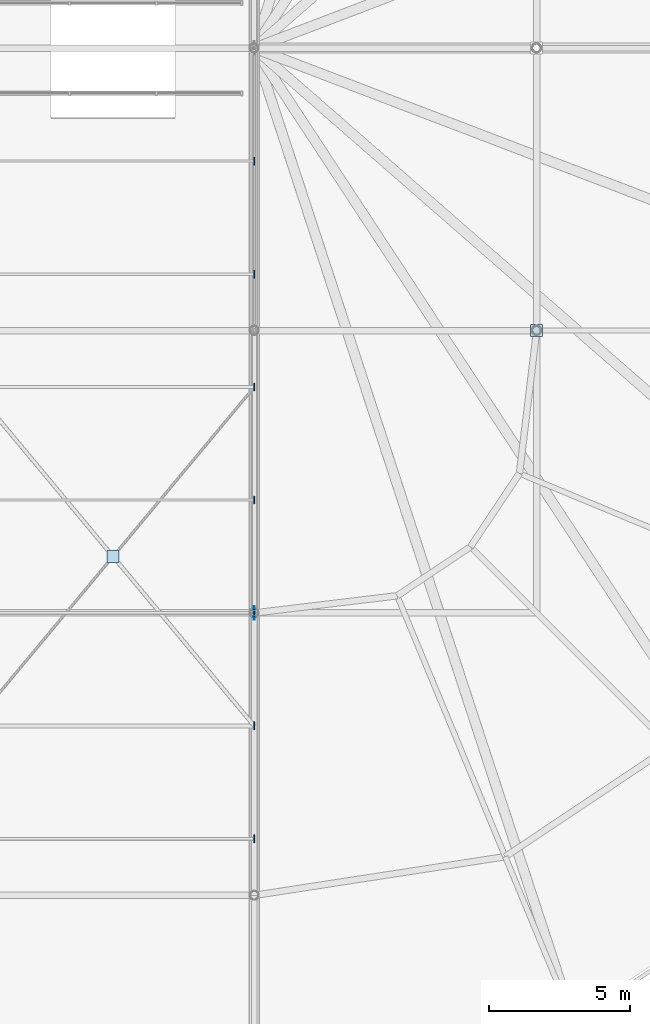
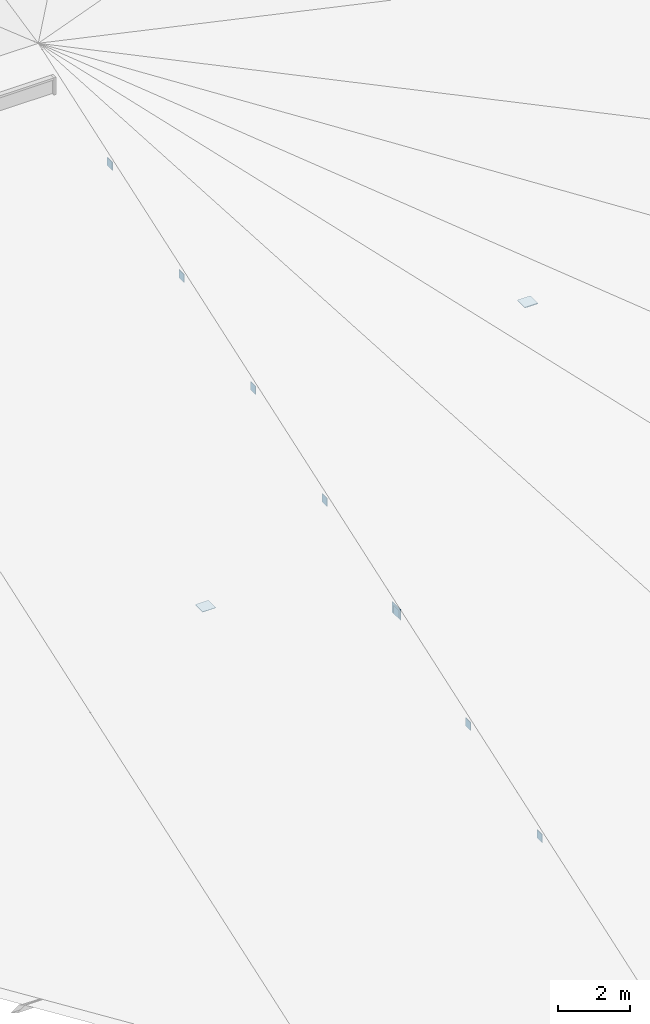
# One storey, part 91 of 93: 10 plates.
"""IFC4 building model written with IfcOpenShell, lengths in metres."""

import ifcopenshell
import ifcopenshell.guid

model = None  # the IFC model being written
_history = None  # IfcOwnerHistory: only IFC2X3 demands one
_inside = {}  # id of a spatial element -> (the spatial element, [elements in it])
_under = {}  # id of a project, library or spatial element -> (it, [spatial elements below it])
_declared = {}  # id of a project -> (the project, [libraries it declares])
_typed = {}  # id of a type object -> (the type object, [elements of that type])
_made_of = {}  # id of a material, layer set ... -> (it, [elements and type objects made of it])


def new_model(schema):
    """Start an empty IFC model of exactly this schema.

    Asked for "IFC4X3", IfcOpenShell would pick the latest addendum, in which some entities
    have other attributes; the version numbers below select the first issue.
    IFC2X3 requires an IfcOwnerHistory on every rooted entity: one is made here for all.
    """
    global model, _history
    if schema == "IFC4X3":
        model = ifcopenshell.file(schema_version=(4, 3, 0, 0))
    else:
        model = ifcopenshell.file(schema=schema)
    _inside.clear()
    _under.clear()
    _declared.clear()
    _typed.clear()
    _made_of.clear()
    _history = None
    if model.schema == "IFC2X3":
        org = make("IfcOrganization", Name="unknown")
        user = make(
            "IfcPersonAndOrganization",
            ThePerson=make("IfcPerson", FamilyName="unknown"),
            TheOrganization=org,
        )
        app = make(
            "IfcApplication",
            ApplicationDeveloper=org,
            Version="unknown",
            ApplicationFullName="unknown",
            ApplicationIdentifier="unknown",
        )
        _history = make(
            "IfcOwnerHistory",
            OwningUser=user,
            OwningApplication=app,
            ChangeAction="ADDED",
            CreationDate=0,
        )
    return model


def make(cls, **values):
    """One entity of the class cls with the attributes given. An attribute that is None is left unset."""
    return model.create_entity(
        cls, **{name: value for name, value in values.items() if value is not None}
    )


def rooted(cls, **values):
    """An entity with a GlobalId (a new one), such as an element, a storey or a relation."""
    return make(cls, GlobalId=ifcopenshell.guid.new(), OwnerHistory=_history, **values)


def si_unit(unit_type, name, prefix=None):
    """IfcSIUnit, for example si_unit("LENGTHUNIT", "METRE", prefix="MILLI")."""
    return make("IfcSIUnit", UnitType=unit_type, Prefix=prefix, Name=name)


def derived_unit(unit_type, elements):
    """IfcDerivedUnit: a product of units, each with its exponent."""
    return make(
        "IfcDerivedUnit",
        Elements=[
            make("IfcDerivedUnitElement", Unit=unit, Exponent=power)
            for unit, power in elements
        ],
        UnitType=unit_type,
    )


def assignment(units):
    """IfcUnitAssignment: the units of a project."""
    return None if units is None else make("IfcUnitAssignment", Units=units)


def point(xyz):
    """IfcCartesianPoint."""
    return None if xyz is None else make("IfcCartesianPoint", Coordinates=xyz)


def direction(xyz):
    """IfcDirection."""
    return None if xyz is None else make("IfcDirection", DirectionRatios=xyz)


def frame(location, z_axis=None, x_axis=None):
    """IfcAxis2Placement3D, a coordinate frame: its origin and axes. An axis left out is left unset."""
    return make(
        "IfcAxis2Placement3D",
        Location=point(location),
        Axis=direction(z_axis),
        RefDirection=direction(x_axis),
    )


def frame_2d(location, x_axis=None):
    """IfcAxis2Placement2D, a coordinate frame in the plane: its origin and x axis."""
    return make(
        "IfcAxis2Placement2D", Location=point(location), RefDirection=direction(x_axis)
    )


def origin():
    """The frame at (0, 0, 0) with its axes left unset."""
    return frame((0.0, 0.0, 0.0))


def origin_2d_with_axis():
    """The frame at (0, 0) in the plane with the x axis (1, 0) written out."""
    return frame_2d((0.0, 0.0), x_axis=(1.0, 0.0))


def place(relative_to, where):
    """IfcLocalPlacement: puts the frame where relative to a parent placement (None: the world)."""
    return make(
        "IfcLocalPlacement", PlacementRelTo=relative_to, RelativePlacement=where
    )


def context(
    kind, dimensions, precision=None, world=None, true_north=None, identifier=None
):
    """IfcGeometricRepresentationContext, for example the 3D "Model" context."""
    return make(
        "IfcGeometricRepresentationContext",
        ContextIdentifier=identifier,
        ContextType=kind,
        CoordinateSpaceDimension=dimensions,
        Precision=precision,
        WorldCoordinateSystem=world,
        TrueNorth=true_north,
    )


def subcontext(parent, identifier, kind, view, scale=None):
    """IfcGeometricRepresentationSubContext, for example "Body" below "Model"."""
    return make(
        "IfcGeometricRepresentationSubContext",
        ContextIdentifier=identifier,
        ContextType=kind,
        ParentContext=parent,
        TargetScale=scale,
        TargetView=view,
    )


def project(units=None, contexts=None):
    """IfcProject with its units and contexts."""
    return rooted(
        "IfcProject",
        Name="project",
        RepresentationContexts=contexts,
        UnitsInContext=assignment(units),
    )


def spatial(cls, under=None, at=None, **own):
    """A site, building, storey or space (cls), placed at a placement, below another one or the project."""
    s = rooted(cls, ObjectPlacement=at, **own)
    if under is not None:
        _under.setdefault(under.id(), (under, []))[1].append(s)
    return s


def profile(cls, at=None, kind="AREA", **sizes):
    """A parametric profile (cls). Its sizes go by their IFC names, for example OverallWidth=200.0."""
    return make(cls, ProfileType=kind, Position=at, **sizes)


def rectangle(**sizes):
    """IfcRectangleProfileDef."""
    return profile("IfcRectangleProfileDef", **sizes)


def extrude(swept, where, along, depth):
    """IfcExtrudedAreaSolid: the profile swept, set in the frame where, extruded along a direction by depth."""
    return make(
        "IfcExtrudedAreaSolid",
        SweptArea=swept,
        Position=where,
        ExtrudedDirection=direction(along),
        Depth=depth,
    )


def shape(context_of_items, identifier, shape_type, items):
    """IfcShapeRepresentation: the items that make up one representation, for example the "Body"."""
    return make(
        "IfcShapeRepresentation",
        ContextOfItems=context_of_items,
        RepresentationIdentifier=identifier,
        RepresentationType=shape_type,
        Items=items,
    )


def material(Name=None, Category=None):
    """IfcMaterial."""
    return make("IfcMaterial", Name=Name, Category=Category)


def layer(
    of_material, thickness, ventilated=None, Name=None, Category=None, Priority=None
):
    """IfcMaterialLayer: one layer of a wall or slab, of a material (None: an air gap)."""
    return make(
        "IfcMaterialLayer",
        Material=of_material,
        LayerThickness=thickness,
        IsVentilated=ventilated,
        Name=Name,
        Category=Category,
        Priority=Priority,
    )


def layer_set(layers, Name=None):
    """IfcMaterialLayerSet."""
    return make("IfcMaterialLayerSet", MaterialLayers=layers, LayerSetName=Name)


def made_of(thing, what):
    """Note that an element or type object is made of a material, layer set ...; save() writes the relation."""
    if what is not None:
        _made_of.setdefault(what.id(), (what, []))[1].append(thing)
    return thing


def type_object(cls, material=None, **own):
    """A type object (cls), such as IfcWallType, which elements share."""
    return made_of(rooted(cls, **own), material)


def element(
    cls,
    number,
    at=None,
    inside=None,
    cuts=None,
    type_object=None,
    material=None,
    context=None,
    identifier="Body",
    shape_type=None,
    held_by="IfcProductDefinitionShape",
    body=None,
    shapes=None,
    **own,
):
    """One element of the class cls, such as IfcWall. Its Tag is "e" and its number.

    at: its placement. inside: the storey or other place that contains it. cuts: it is an
    opening in that element (IfcRelVoidsElement). A single representation is given by context,
    identifier, shape_type and body (its items); several are given by shapes. held_by: the class
    of the entity that holds the representations. save() writes the other relations.
    """
    e = rooted(cls, Tag="e%d" % number, ObjectPlacement=at, **own)
    if body is not None:
        shapes = [shape(context, identifier, shape_type, body)]
    if shapes is not None:
        e.Representation = make(held_by, Representations=shapes)
    if inside is not None:
        _inside.setdefault(inside.id(), (inside, []))[1].append(e)
    if cuts is not None:
        rooted(
            "IfcRelVoidsElement", RelatingBuildingElement=cuts, RelatedOpeningElement=e
        )
    if type_object is not None:
        _typed.setdefault(type_object.id(), (type_object, []))[1].append(e)
    return made_of(e, material)


def aggregate(whole, parts):
    """IfcRelAggregates: a whole, such as a stair, and the parts it consists of."""
    return rooted("IfcRelAggregates", RelatingObject=whole, RelatedObjects=parts)


def save(model, path):
    """Write the relations noted so far, then the file.

    IfcRelAggregates (storeys below a building ...), IfcRelContainedInSpatialStructure (elements
    in a storey), IfcRelDefinesByType, IfcRelAssociatesMaterial and IfcRelDeclares: one each for
    every whole, place, type object, material and project.
    """
    for whole, parts in _under.values():
        aggregate(whole, parts)
    for where, things in _inside.values():
        rooted(
            "IfcRelContainedInSpatialStructure",
            RelatedElements=things,
            RelatingStructure=where,
        )
    for kind, things in _typed.values():
        rooted("IfcRelDefinesByType", RelatedObjects=things, RelatingType=kind)
    for what, things in _made_of.values():
        rooted("IfcRelAssociatesMaterial", RelatedObjects=things, RelatingMaterial=what)
    for by, libraries in _declared.values():
        rooted("IfcRelDeclares", RelatingContext=by, RelatedDefinitions=libraries)
    model.write(path)


model = new_model("IFC4")

# Units and contexts
model_context = context("Model", 3, precision=1e-05, world=origin(), true_north=direction((0.0, 1.0)))
body_context = subcontext(model_context, "Body", "Model", "MODEL_VIEW")
ifc_project = project(units=[si_unit("LENGTHUNIT", "METRE"), si_unit("AREAUNIT", "SQUARE_METRE"), si_unit("VOLUMEUNIT", "CUBIC_METRE"), si_unit("PLANEANGLEUNIT", "RADIAN"), si_unit("MASSUNIT", "GRAM", prefix="KILO"), derived_unit("THERMALTRANSMITTANCEUNIT", [(si_unit("POWERUNIT", "WATT"), 1), (si_unit("LENGTHUNIT", "METRE"), -2), (si_unit("THERMODYNAMICTEMPERATUREUNIT", "KELVIN"), -1)])], contexts=[model_context])

# Site, building, storey
site_placement = place(None, origin())
site = spatial("IfcSite", under=ifc_project, at=site_placement, CompositionType="ELEMENT")
building_placement = place(site_placement, origin())
building = spatial("IfcBuilding", under=site, at=building_placement, Name="Cinnabar Yard Market Hall", CompositionType="ELEMENT")
storey_placement = place(building_placement, frame((0.0, 0.0, 23.800048828125)))
storey = spatial("IfcBuildingStorey", under=building, at=storey_placement, Name="ROOF", CompositionType="ELEMENT", Elevation=23.800048828125)

# Plates
ifc_material = material(Name="Steel Grade 350 (350 MPa)", Category="steel")
ifc_layer_1 = layer(ifc_material, 0.01611328125)
ifc_layer_set_1 = layer_set([ifc_layer_1], Name="Steel Grade 350 (350 MPa)")
plate_type_1 = type_object("IfcPlateType", Name="PL-NP05", PredefinedType="SHEET", material=ifc_layer_set_1)
plate_1_placement = place(storey_placement, frame((141.0, 26.0, -3.0732421875), z_axis=(0.0, 0.0, 1.0), x_axis=(1.0, 0.0, 0.0)))
element("IfcPlate", 1, at=plate_1_placement, inside=storey, type_object=plate_type_1, Name="X-Brace Crossing Gusset 136-20", PredefinedType="SHEET", context=body_context, shape_type="SweptSolid", body=[
    extrude(rectangle(XDim=0.419921875, YDim=0.419921875, at=origin_2d_with_axis()), origin(), (0.0, 0.0, 1.0), 0.01611328125),
])
ifc_layer_2 = layer(ifc_material, 0.360107421875)
ifc_layer_set_2 = layer_set([ifc_layer_2], Name="Steel Grade 350 (350 MPa)")
plate_type_2 = type_object("IfcPlateType", Name="PL-NP12", PredefinedType="SHEET", material=ifc_layer_set_2)
plate_2_placement = place(storey_placement, frame((146.0, 24.0, -3.94140625), z_axis=(0.0, 0.0, 1.0), x_axis=(1.0, 0.0, 0.0)))
element("IfcPlate", 2, at=plate_2_placement, inside=storey, type_object=plate_type_2, Name="Truss Node Gusset 146-1", PredefinedType="SHEET", context=body_context, shape_type="SweptSolid", body=[
    extrude(rectangle(XDim=0.02001953125, YDim=0.47998046875, at=origin_2d_with_axis()), origin(), (0.0, 0.0, 1.0), 0.360107421875),
])
ifc_layer_3 = layer(ifc_material, 0.02392578125)
ifc_layer_set_3 = layer_set([ifc_layer_3], Name="Steel Grade 350 (350 MPa)")
plate_type_3 = type_object("IfcPlateType", Name="PL-NP16", PredefinedType="SHEET", material=ifc_layer_set_3)
plate_3_placement = place(storey_placement, frame((156.0, 34.0, -2.81201171875), z_axis=(0.0, 0.0, 1.0), x_axis=(1.0, 0.0, 0.0)))
element("IfcPlate", 3, at=plate_3_placement, inside=storey, type_object=plate_type_3, Name="Hollow Member Cap Plate 08", PredefinedType="SHEET", context=body_context, shape_type="SweptSolid", body=[
    extrude(rectangle(XDim=0.419921875, YDim=0.419921875, at=origin_2d_with_axis()), origin(), (0.0, 0.0, 1.0), 0.02392578125),
])
ifc_layer_4 = layer(ifc_material, 0.280029296875)
ifc_layer_set_4 = layer_set([ifc_layer_4], Name="Steel Grade 350 (350 MPa)")
plate_type_4 = type_object("IfcPlateType", Name="PL-NP17", PredefinedType="SHEET", material=ifc_layer_set_4)
for number, where, z_axis, x_axis, name in (
    (4, (146.0, 16.0, -6.72607421875), (0.0, 0.0, 1.0), (1.0, 0.0, 0.0), "Purlin End Cap Y16 E"),
    (5, (146.0, 20.0, -5.33349609375), (0.0, 0.0, 1.0), (1.0, 0.0, 0.0), "Purlin End Cap Y20 E"),
    (6, (146.0, 24.0, -3.94140625), (0.0, 0.0, 1.0), (1.0, 0.0, 0.0), "Purlin End Cap Y24 E"),
    (7, (146.0, 28.0, -2.54931640625), (0.0, 0.0, 1.0), (1.0, 0.0, 0.0), "Purlin End Cap Y28 E"),
    (8, (146.0, 32.0, -1.15673828125), (0.0, 0.0, 1.0), (1.0, 0.0, 0.0), "Purlin End Cap Y32 E"),
    (9, (146.0, 36.0, 0.2353515625), (0.0, 0.0, 1.0), (1.0, 0.0, 0.0), "Purlin End Cap Y36 E"),
    (10, (146.0, 40.0, 1.62744140625), (0.0, 0.0, 1.0), (1.0, 0.0, 0.0), "Purlin End Cap Y40 E"),
):
    element("IfcPlate", number, at=place(storey_placement, frame(where, z_axis=z_axis, x_axis=x_axis)), inside=storey, type_object=plate_type_4, Name=name, PredefinedType="SHEET", context=body_context, shape_type="SweptSolid", body=[
        extrude(rectangle(XDim=0.02001953125, YDim=0.280029296875, at=origin_2d_with_axis()), origin(), (0.0, 0.0, 1.0), 0.280029296875),
    ])

save(model, "model.ifc")
